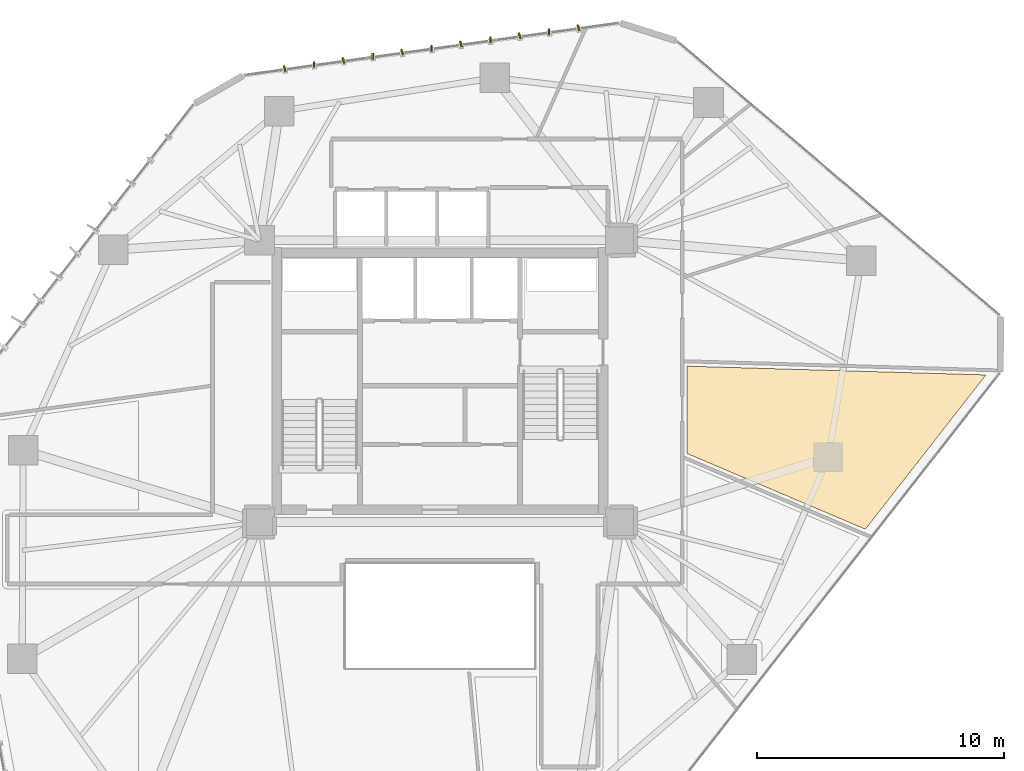
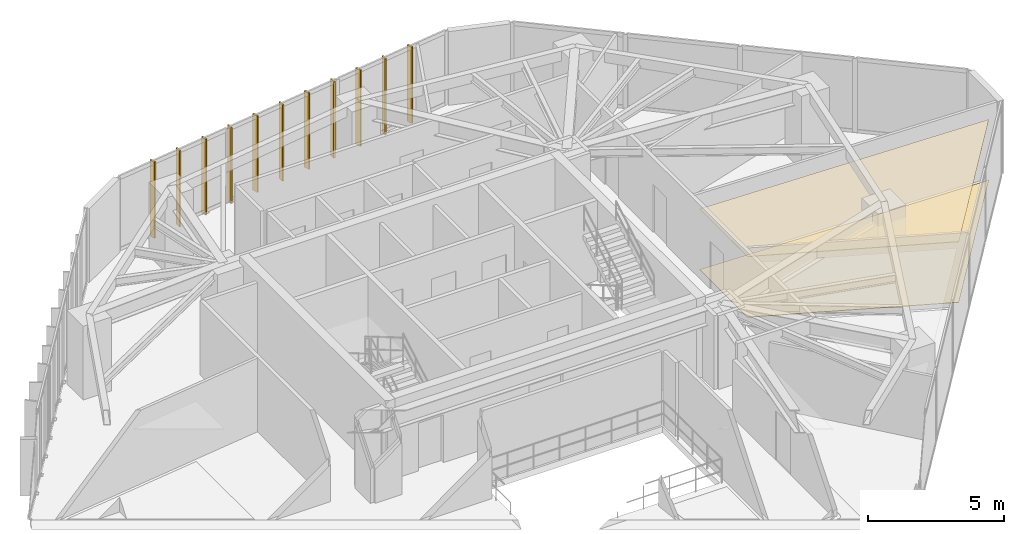
# One storey, part 24 of 24: 11 shading devices, 2 coverings.
"""IFC4 building model written with IfcOpenShell, lengths in metres."""

from ifc_helpers import new_model, si_unit, direction, frame, origin, origin_2d, place, context, subcontext, project, spatial, polyline, rectangle, outline, extrude, source, transform, mapped, material, layer, layer_set, type_object, type_shapes, element, save


model = new_model("IFC4")

# Units and contexts
model_context = context("Model", 3, precision=1e-05, world=origin(), true_north=direction((0.0, 1.0)))
body_context = subcontext(model_context, "Body", "Model", "MODEL_VIEW")
ifc_project = project(units=[si_unit("LENGTHUNIT", "METRE"), si_unit("AREAUNIT", "SQUARE_METRE"), si_unit("VOLUMEUNIT", "CUBIC_METRE"), si_unit("PLANEANGLEUNIT", "RADIAN"), si_unit("MASSUNIT", "GRAM", prefix="KILO")], contexts=[model_context])

# Site, building, storey
site_placement = place(None, origin())
site = spatial("IfcSite", under=ifc_project, at=site_placement, CompositionType="ELEMENT")
building_placement = place(site_placement, origin())
building = spatial("IfcBuilding", under=site, at=building_placement, Name="Talar Marvaseh", CompositionType="ELEMENT")
storey_placement = place(building_placement, frame((0.0, 0.0, 114.60009765625)))
storey = spatial("IfcBuildingStorey", under=building, at=storey_placement, Name="L29", CompositionType="ELEMENT", Elevation=114.60009765625)

# Coverings
ifc_material_1 = material(Name="Mineral Fibre Acoustic Ceiling")
ifc_layer_1 = layer(ifc_material_1, 0.02490234375)
ifc_layer_set_1 = layer_set([ifc_layer_1], Name="Mineral Fibre Acoustic Ceiling")
covering_type_1 = type_object("IfcCoveringType", Name="Perforated Mineral Fibre Acoustic Suspended Ceiling", PredefinedType="CEILING", material=ifc_layer_set_1)
covering_1_placement = place(storey_placement, frame((0.0, 0.0, 2.719970703125)))
element("IfcCovering", 1, at=covering_1_placement, inside=storey, type_object=covering_type_1, Name="L29 Visitor Orientation Foyer Acoustic Ceiling", PredefinedType="CEILING", context=body_context, shape_type="SweptSolid", body=[
    extrude(outline(polyline([(36.0, 31.8076171875), (48.08544921875, 31.4541015625), (43.208740234375, 25.214111328125), (36.0, 28.2734375), (36.0, 31.8076171875)])), origin(), (0.0, 0.0, 1.0), 0.02490234375),
])
ifc_material_2 = material(Name="Porcelain Stoneware Tile", Category="masonry")
ifc_layer_2 = layer(ifc_material_2, 0.02001953125)
ifc_layer_set_2 = layer_set([ifc_layer_2], Name="Porcelain Stoneware Tile")
covering_type_2 = type_object("IfcCoveringType", Name="Polished Porcelain Stoneware Gallery Flooring", PredefinedType="FLOORING", material=ifc_layer_set_2)
covering_2_placement = place(storey_placement, origin())
element("IfcCovering", 2, at=covering_2_placement, inside=storey, type_object=covering_type_2, Name="L29 Visitor Orientation Foyer Flooring", PredefinedType="FLOORING", context=body_context, shape_type="SweptSolid", body=[
    extrude(outline(polyline([(36.0, 31.8076171875), (48.08544921875, 31.4541015625), (43.208740234375, 25.214111328125), (36.0, 28.2734375), (36.0, 31.8076171875)])), origin(), (0.0, 0.0, 1.0), 0.02001953125),
])

# Shading devices
ifc_material_3 = material(Name="Anodised Champagne Bronze Aluminium", Category="aluminium")
ifc_layer_3 = layer(ifc_material_3, 0.06494140625)
ifc_layer_set_3 = layer_set([ifc_layer_3], Name="Anodised Champagne Bronze Aluminium")
shading_device_type = type_object("IfcShadingDeviceType", Name="Sawtooth Champagne Bronze Vertical Fin 240", PredefinedType="USERDEFINED", material=ifc_layer_set_3)
shared_shape = source(origin(), body_context, "Body", "SweptSolid", [
    extrude(rectangle(XDim=0.239990234375, YDim=0.06494140625, at=origin_2d()), origin(), (0.0, 0.0, 1.0), 3.429931640625),
])
type_shapes(shading_device_type, [shared_shape])
for number, where, z_axis, x_axis, name in (
    (3, (19.718017578125, 43.8466796875, -0.1201171875), (0.0, 0.0, 1.0), (-0.274462747688, 0.961597733011, 0.0), "L29 Sawtooth Vertical Solar Fin"),
    (4, (20.906494140625, 44.01220703125, -0.1201171875), (0.0, 0.0, 1.0), (0.001221730172, 0.999999253687, 0.0), "L29 Sawtooth Vertical Solar Fin"),
    (5, (22.094970703125, 44.177978515625, -0.1201171875), (0.0, 0.0, 1.0), (-0.274462747688, 0.961597733011, 0.0), "L29 Sawtooth Vertical Solar Fin"),
    (6, (23.283447265625, 44.343505859375, -0.1201171875), (0.0, 0.0, 1.0), (0.001221730172, 0.999999253687, 0.0), "L29 Sawtooth Vertical Solar Fin"),
    (7, (24.471923828125, 44.509033203125, -0.1201171875), (0.0, 0.0, 1.0), (-0.274462747688, 0.961597733011, 0.0), "L29 Sawtooth Vertical Solar Fin"),
    (8, (25.660400390625, 44.6748046875, -0.1201171875), (0.0, 0.0, 1.0), (0.001221730172, 0.999999253687, 0.0), "L29 Sawtooth Vertical Solar Fin"),
    (9, (26.84912109375, 44.84033203125, -0.1201171875), (0.0, 0.0, 1.0), (-0.274462747688, 0.961597733011, 0.0), "L29 Sawtooth Vertical Solar Fin"),
    (10, (28.03759765625, 45.005859375, -0.1201171875), (0.0, 0.0, 1.0), (0.001221730172, 0.999999253687, 0.0), "L29 Sawtooth Vertical Solar Fin"),
    (11, (29.22607421875, 45.17138671875, -0.1201171875), (0.0, 0.0, 1.0), (-0.274462747688, 0.961597733011, 0.0), "L29 Sawtooth Vertical Solar Fin"),
    (12, (30.41455078125, 45.337158203125, -0.1201171875), (0.0, 0.0, 1.0), (0.001221730172, 0.999999253687, 0.0), "L29 Sawtooth Vertical Solar Fin"),
    (13, (31.60302734375, 45.502685546875, -0.1201171875), (0.0, 0.0, 1.0), (-0.274462747688, 0.961597733011, 0.0), "L29 Sawtooth Vertical Solar Fin"),
):
    element("IfcShadingDevice", number, at=place(storey_placement, frame(where, z_axis=z_axis, x_axis=x_axis)), inside=storey, type_object=shading_device_type, Name=name, ObjectType="FIN", PredefinedType="USERDEFINED", context=body_context, shape_type="MappedRepresentation", body=[
        mapped(shared_shape, transform((0.0, 0.0, 0.0), x_axis=(1.0, 0.0, 0.0), y_axis=(0.0, 1.0, 0.0), z_axis=(0.0, 0.0, 1.0), scale=1.0)),
    ])

save(model, "model.ifc")
